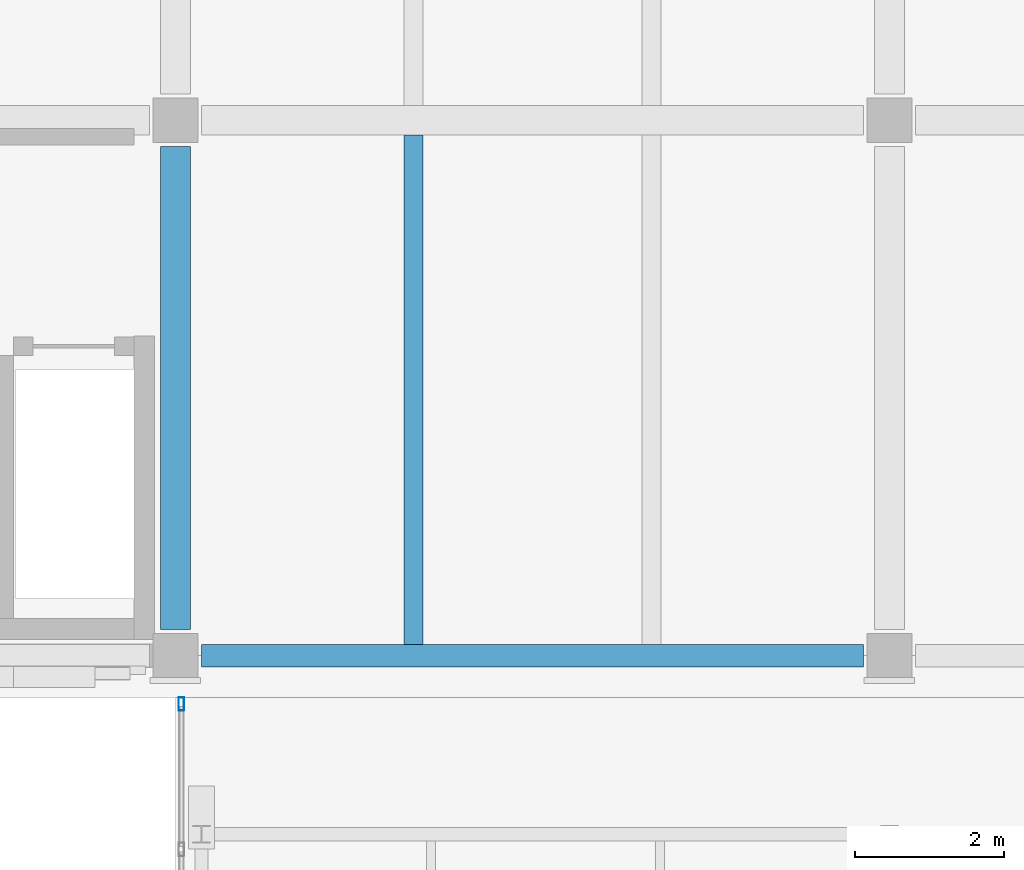
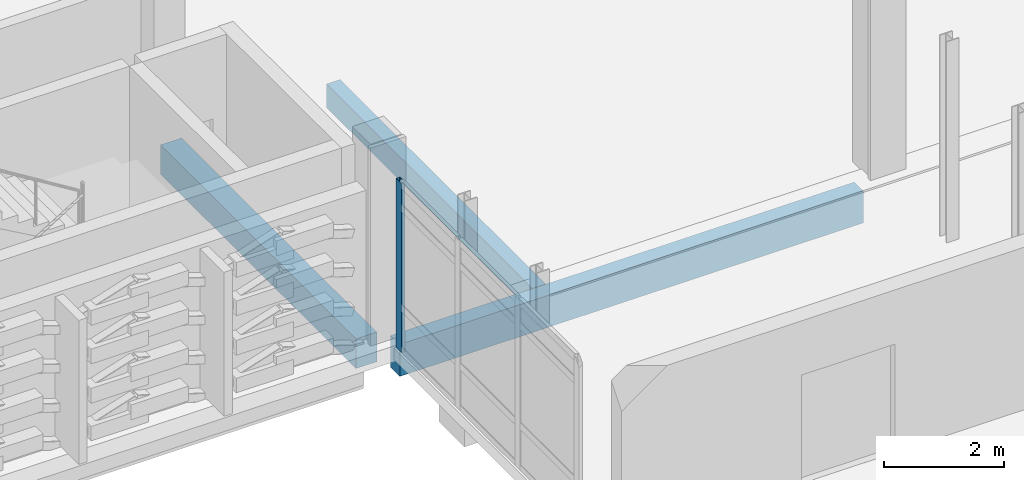
# One storey, part 10 of 134: 3 beams, 1 member, 1 element without a shape of its own.
"""IFC4 building model written with IfcOpenShell, lengths in metres."""

from ifc_helpers import new_model, si_unit, direction, frame, origin, origin_2d, place, context, subcontext, project, spatial, rectangle, hollow_rectangle, extrude, material, layer, layer_set, material_profile, profile_set, type_object, element, aggregate, save


model = new_model("IFC4")

# Units and contexts
model_context = context("Model", 3, precision=1e-05, world=origin(), true_north=direction((0.0, 1.0)))
body_context = subcontext(model_context, "Body", "Model", "MODEL_VIEW")
ifc_project = project(units=[si_unit("LENGTHUNIT", "METRE"), si_unit("AREAUNIT", "SQUARE_METRE"), si_unit("VOLUMEUNIT", "CUBIC_METRE"), si_unit("PLANEANGLEUNIT", "RADIAN"), si_unit("MASSUNIT", "GRAM", prefix="KILO")], contexts=[model_context])

# Site, building, storey
site_placement = place(None, origin())
site = spatial("IfcSite", under=ifc_project, at=site_placement, CompositionType="ELEMENT")
building_placement = place(site_placement, origin())
building = spatial("IfcBuilding", under=site, at=building_placement, Name="Asteropetra Specialist Clinic", CompositionType="ELEMENT")
storey_placement = place(building_placement, frame((0.0, 0.0, 8.5)))
storey = spatial("IfcBuildingStorey", under=building, at=storey_placement, Name="L02", CompositionType="ELEMENT", Elevation=8.5)

# Beam
ifc_material_1 = material(Name="Concrete C35/45", Category="concrete")
ifc_material_profile_1 = material_profile(ifc_material_1, rectangle(XDim=0.39990234375, YDim=0.60009765625, at=origin_2d()), Name="RCB 400x600")
ifc_profile_set_1 = profile_set([ifc_material_profile_1], Name="Concrete C35/45")
beam_type_1 = type_object("IfcBeamType", Name="BM-RC400x600", PredefinedType="BEAM", material=ifc_profile_set_1)
beam_1_placement = place(storey_placement, frame((9.60009765625, 33.949951171875, -0.60009765625), z_axis=(0.0, 1.0, 0.0), x_axis=(-1.0, 0.0, 0.0)))
element("IfcBeam", 1, at=beam_1_placement, inside=storey, type_object=beam_type_1, Name="Beam BBM08-1074", PredefinedType="BEAM", context=body_context, shape_type="SweptSolid", body=[
    extrude(rectangle(XDim=0.39990234375, YDim=0.60009765625, at=origin_2d()), origin(), (0.0, 0.0, 1.0), 6.5),
])

# Curtain wall, member
ifc_material_2 = material(Name="Aluminium and low-E glass", Category="aluminium")
ifc_layer = layer(ifc_material_2, 0.179931640625)
ifc_layer_set = layer_set([ifc_layer], Name="Aluminium and low-E glass")
curtain_wall_type = type_object("IfcCurtainWallType", Name="CW-SYS-07", PredefinedType="USERDEFINED", material=ifc_layer_set)
curtain_wall_placement = place(storey_placement, origin())
curtain_wall = element("IfcCurtainWall", 2, at=curtain_wall_placement, inside=storey, type_object=curtain_wall_type, Name="Curtain Wall CW-099", ObjectType="STICK GLAZED COLONNADE", PredefinedType="USERDEFINED")
ifc_material_3 = material(Name="Aluminium 6063-T6", Category="aluminium")
ifc_material_profile_2 = material_profile(ifc_material_3, hollow_rectangle(XDim=0.074951171875, YDim=0.179931640625, WallThickness=0.00390625, InnerFilletRadius=0.00390625, OuterFilletRadius=0.008056640625, at=origin_2d()), Name="MUL 180x75x4.0")
ifc_profile_set_2 = profile_set([ifc_material_profile_2], Name="Aluminium 6063-T6")
member_type = type_object("IfcMemberType", Name="CWM-180x75", PredefinedType="MULLION", material=ifc_profile_set_2)
member_placement = place(storey_placement, frame((9.679931640625, 32.952392578125, 0.0), z_axis=(0.0, 0.0, 1.0), x_axis=(-1.0, 0.0, 0.0)))
member = element("IfcMember", 3, at=member_placement, type_object=member_type, Name="CW-099 mullion 4", PredefinedType="MULLION", context=body_context, shape_type="SweptSolid", body=[
    extrude(hollow_rectangle(XDim=0.074951171875, YDim=0.179931640625, WallThickness=0.00390625, InnerFilletRadius=0.00390625, OuterFilletRadius=0.008056640625, at=origin_2d()), origin(), (0.0, 0.0, 1.0), 3.429931640625),
])
aggregate(curtain_wall, [member])

# Beams
ifc_material_4 = material(Name="Concrete C35/45", Category="concrete")
ifc_material_profile_3 = material_profile(ifc_material_4, rectangle(XDim=0.260009765625, YDim=0.47998046875, at=origin_2d()), Name="RCJ 260x480")
ifc_profile_set_3 = profile_set([ifc_material_profile_3], Name="Concrete C35/45")
beam_type_2 = type_object("IfcBeamType", Name="JST-RC260x480", PredefinedType="JOIST", material=ifc_profile_set_3)
beam_2_placement = place(storey_placement, frame((12.800048828125, 33.75, -0.5400390625), z_axis=(0.0, 1.0, 0.0), x_axis=(-1.0, 0.0, 0.0)))
element("IfcBeam", 4, at=beam_2_placement, inside=storey, type_object=beam_type_2, Name="Joist JJST02-1077", PredefinedType="JOIST", context=body_context, shape_type="SweptSolid", body=[
    extrude(rectangle(XDim=0.260009765625, YDim=0.47998046875, at=origin_2d()), origin(), (0.0, 0.0, 1.0), 6.85009765625),
])
ifc_material_5 = material(Name="Concrete C35/45", Category="concrete")
ifc_material_profile_4 = material_profile(ifc_material_5, rectangle(XDim=0.300048828125, YDim=0.64990234375, at=origin_2d()), Name="RCS 300x650")
ifc_profile_set_4 = profile_set([ifc_material_profile_4], Name="Concrete C35/45")
beam_type_3 = type_object("IfcBeamType", Name="SPN-RC300x650", PredefinedType="SPANDREL", material=ifc_profile_set_4)
beam_3_placement = place(storey_placement, frame((9.949951171875, 33.60009765625, -0.625), z_axis=(1.0, 0.0, 0.0), x_axis=(0.0, 1.0, 0.0)))
element("IfcBeam", 5, at=beam_3_placement, inside=storey, type_object=beam_type_3, Name="Beam BSPN03-1054", PredefinedType="SPANDREL", context=body_context, shape_type="SweptSolid", body=[
    extrude(rectangle(XDim=0.300048828125, YDim=0.64990234375, at=origin_2d()), origin(), (0.0, 0.0, 1.0), 8.900146484375),
])

save(model, "model.ifc")
